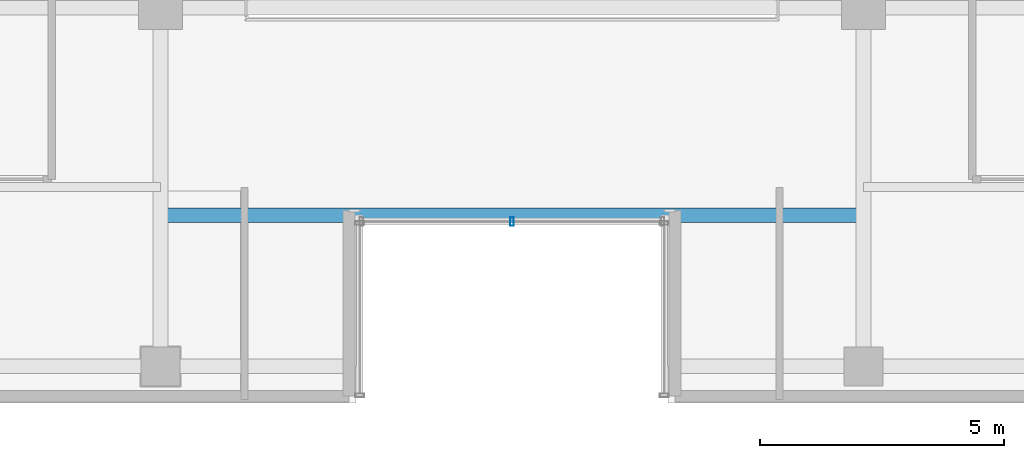
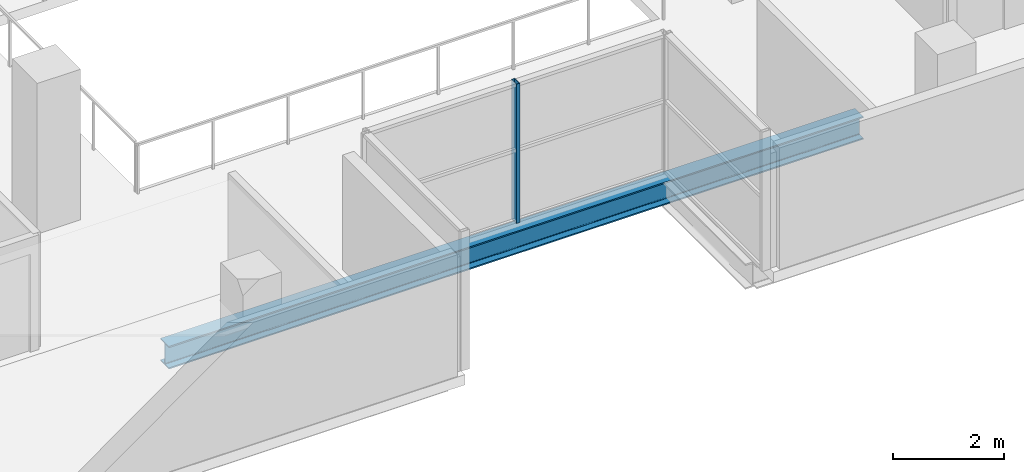
# One storey, part 4 of 28: 1 beam, 1 member, 1 element without a shape of its own.
"""IFC4 building model written with IfcOpenShell, lengths in metres."""

from ifc_helpers import new_model, si_unit, direction, frame, origin, origin_2d, place, context, subcontext, project, spatial, hollow_rectangle, i_section, extrude, source, transform, mapped, material, layer, layer_set, material_profile, profile_set, type_object, element, aggregate, save


model = new_model("IFC4")

# Units and contexts
model_context = context("Model", 3, precision=1e-05, world=origin(), true_north=direction((0.0, 1.0)))
body_context = subcontext(model_context, "Body", "Model", "MODEL_VIEW")
ifc_project = project(units=[si_unit("LENGTHUNIT", "METRE"), si_unit("AREAUNIT", "SQUARE_METRE"), si_unit("VOLUMEUNIT", "CUBIC_METRE"), si_unit("PLANEANGLEUNIT", "RADIAN"), si_unit("MASSUNIT", "GRAM", prefix="KILO")], contexts=[model_context])

# Site, building, storey
site_placement = place(None, origin())
site = spatial("IfcSite", under=ifc_project, at=site_placement, CompositionType="ELEMENT")
building_placement = place(site_placement, origin())
building = spatial("IfcBuilding", under=site, at=building_placement, Name="Zarnakvel Exchange Tower", CompositionType="ELEMENT")
storey_placement = place(building_placement, frame((0.0, 0.0, 90.10009765625)))
storey = spatial("IfcBuildingStorey", under=building, at=storey_placement, Name="L24", CompositionType="ELEMENT", Elevation=90.10009765625)

# Beam
ifc_material_1 = material(Name="Steel S355", Category="steel")
ifc_material_profile_1 = material_profile(ifc_material_1, i_section(OverallWidth=0.300048828125, OverallDepth=0.5, WebThickness=0.014404296875, FlangeThickness=0.028076171875, FilletRadius=0.027099609375, at=origin_2d()))
ifc_profile_set_1 = profile_set([ifc_material_profile_1], Name="Steel S355")
beam_type = type_object("IfcBeamType", Name="SP-02", PredefinedType="SPANDREL", material=ifc_profile_set_1)
beam_placement = place(storey_placement, frame((-7.199951171875, -13.85009765625, -0.47509765625), z_axis=(1.0, 0.0, 0.0), x_axis=(0.0, 1.0, 0.0)))
element("IfcBeam", 1, at=beam_placement, inside=storey, type_object=beam_type, Name="L24 South Slot Head Trimmer Girder", PredefinedType="SPANDREL", context=body_context, shape_type="SweptSolid", body=[
    extrude(i_section(OverallWidth=0.300048828125, OverallDepth=0.5, WebThickness=0.014404296875, FlangeThickness=0.028076171875, FilletRadius=0.027099609375, at=origin_2d()), origin(), (0.0, 0.0, 1.0), 14.39990234375),
])

# Curtain wall, member
ifc_material_2 = material(Name="Architectural Bronze Anodised Aluminium", Category="aluminium")
ifc_layer = layer(ifc_material_2, 0.179931640625)
ifc_layer_set = layer_set([ifc_layer], Name="Architectural Bronze Anodised Aluminium")
curtain_wall_type = type_object("IfcCurtainWallType", Name="CW-05", PredefinedType="NOTDEFINED", material=ifc_layer_set)
curtain_wall_placement = place(storey_placement, origin())
curtain_wall = element("IfcCurtainWall", 2, at=curtain_wall_placement, inside=storey, type_object=curtain_wall_type, Name="L24 Curtain Wall CW-L24-SLB (CW-05)", PredefinedType="NOTDEFINED")
ifc_material_profile_2 = material_profile(ifc_material_2, hollow_rectangle(XDim=0.179931640625, YDim=0.070068359375, WallThickness=0.00390625, at=origin_2d()))
ifc_profile_set_2 = profile_set([ifc_material_profile_2], Name="Architectural Bronze Anodised Aluminium")
member_type = type_object("IfcMemberType", Name="CWM-05", PredefinedType="MULLION", material=ifc_profile_set_2)
shared_shape = source(origin(), body_context, "Body", "SweptSolid", [
    extrude(hollow_rectangle(XDim=0.179931640625, YDim=0.070068359375, WallThickness=0.00390625, at=origin_2d()), origin(), (0.0, 0.0, 1.0), 3.054931640625),
])
member_placement = place(storey_placement, frame((0.0, -13.97998046875, 0.0), z_axis=(0.0, 0.0, 1.0), x_axis=(0.0, 1.0, 0.0)))
member = element("IfcMember", 3, at=member_placement, type_object=member_type, Name="CW-05 mullion 2", PredefinedType="MULLION", context=body_context, shape_type="MappedRepresentation", body=[
    mapped(shared_shape, transform((0.0, 0.0, 0.0), x_axis=(1.0, 0.0, 0.0), y_axis=(0.0, 1.0, 0.0), z_axis=(0.0, 0.0, 1.0), scale=1.0)),
])
aggregate(curtain_wall, [member])

save(model, "model.ifc")
